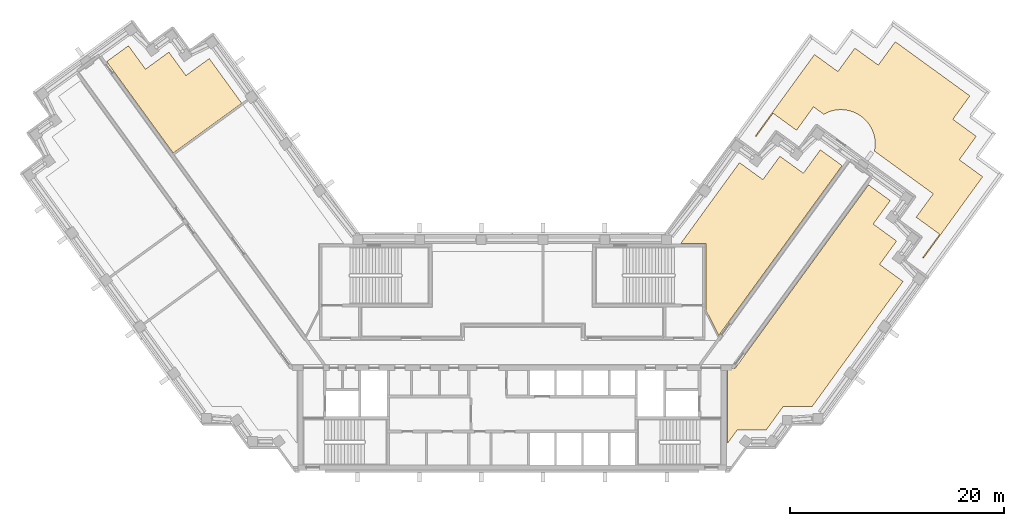
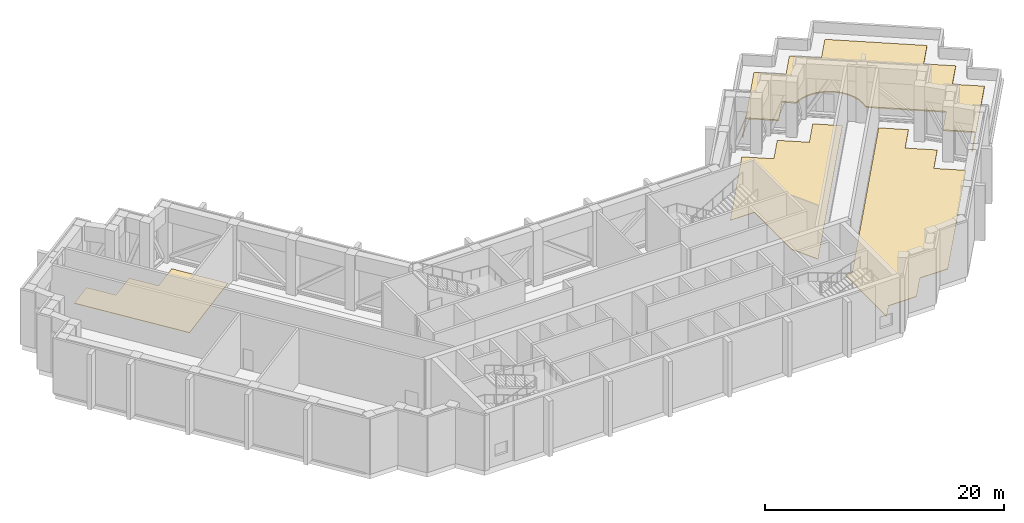
# One storey, part 16 of 16: 4 coverings.
"""IFC4 building model written with IfcOpenShell, lengths in metres."""

from ifc_helpers import new_model, si_unit, direction, frame, origin, place, context, subcontext, project, spatial, polyline, outline, extrude, material, layer, layer_set, type_object, element, save


model = new_model("IFC4")

# Units and contexts
model_context = context("Model", 3, precision=1e-05, world=origin(), true_north=direction((0.0, 1.0)))
body_context = subcontext(model_context, "Body", "Model", "MODEL_VIEW")
ifc_project = project(units=[si_unit("LENGTHUNIT", "METRE"), si_unit("AREAUNIT", "SQUARE_METRE"), si_unit("VOLUMEUNIT", "CUBIC_METRE"), si_unit("PLANEANGLEUNIT", "RADIAN"), si_unit("MASSUNIT", "GRAM", prefix="KILO")], contexts=[model_context])

# Site, building, storey
site_placement = place(None, origin())
site = spatial("IfcSite", under=ifc_project, at=site_placement, CompositionType="ELEMENT")
building_placement = place(site_placement, origin())
building = spatial("IfcBuilding", under=site, at=building_placement, Name="Quipu Civic Tower", CompositionType="ELEMENT")
storey_placement = place(building_placement, frame((0.0, 0.0, 188.0)))
storey = spatial("IfcBuildingStorey", under=building, at=storey_placement, Name="L44", CompositionType="ELEMENT", Elevation=188.0)

# Coverings
ifc_material_1 = material(Name="Roof membrane and gravel ballast")
ifc_layer_1 = layer(ifc_material_1, 0.1201171875)
ifc_layer_set_1 = layer_set([ifc_layer_1], Name="Roof membrane and gravel ballast")
covering_type_1 = type_object("IfcCoveringType", Name="Roof membrane and ballast build-up", PredefinedType="ROOFING", material=ifc_layer_set_1)
covering_1_placement = place(storey_placement, origin())
element("IfcCovering", 1, at=covering_1_placement, inside=storey, type_object=covering_type_1, Name="Roof build-up L44 1", PredefinedType="ROOFING", context=body_context, shape_type="SweptSolid", body=[
    extrude(outline(polyline([(30.38330078125, 26.20068359375), (31.970458984375, 28.385009765625), (34.15478515625, 26.798095703125), (35.74169921875, 28.982421875), (42.699462890625, 23.927490234375), (41.1123046875, 21.742919921875), (43.296630859375, 20.156005859375), (41.709716796875, 17.9716796875), (43.89404296875, 16.384521484375), (38.368896484375, 8.77978515625), (38.287841796875, 8.838623046875), (39.875, 11.02294921875), (37.690673828125, 12.610107421875), (39.277587890625, 14.79443359375), (33.794189453125, 18.7783203125), (33.8505859375, 19.13037109375), (33.865966796875, 19.444091796875), (33.8505859375, 19.7578125), (33.804443359375, 20.068359375), (33.728271484375, 20.372802734375), (33.622314453125, 20.668701171875), (33.488037109375, 20.952392578125), (33.32666015625, 21.2216796875), (33.1396484375, 21.47412109375), (32.9287109375, 21.706787109375), (32.696044921875, 21.91748046875), (32.44384765625, 22.104736328125), (32.174560546875, 22.26611328125), (31.890625, 22.400390625), (31.594970703125, 22.506103515625), (31.290283203125, 22.58251953125), (30.979736328125, 22.628662109375), (30.666015625, 22.64404296875), (30.352294921875, 22.628662109375), (30.041748046875, 22.58251953125), (29.737060546875, 22.506103515625), (29.44140625, 22.400390625), (29.067626953125, 22.21240234375), (28.11328125, 22.90576171875), (26.526123046875, 20.721435546875), (24.341796875, 22.30859375), (22.7548828125, 20.1240234375), (22.673828125, 20.182861328125), (28.19921875, 27.78759765625), (30.38330078125, 26.20068359375)])), origin(), (0.0, 0.0, 1.0), 0.1201171875),
])
ifc_material_2 = material(Name="Sealed cement screed")
ifc_layer_2 = layer(ifc_material_2, 0.050048828125)
ifc_layer_set_2 = layer_set([ifc_layer_2], Name="Sealed cement screed")
covering_type_2 = type_object("IfcCoveringType", Name="Sealed screed floor finish 50", PredefinedType="FLOORING", material=ifc_layer_set_2)
covering_2_placement = place(storey_placement, origin())
element("IfcCovering", 2, at=covering_2_placement, inside=storey, type_object=covering_type_2, Name="Sealed screed floor finish 50", PredefinedType="FLOORING", context=body_context, shape_type="SweptSolid", body=[
    extrude(outline(polyline([(20.070068359375, -8.514892578125), (20.070068359375, -1.52001953125), (20.77490234375, -1.51904296875), (33.238037109375, 15.635009765625), (35.26904296875, 14.159912109375), (33.68310546875, 11.97412109375), (35.865966796875, 10.387939453125), (34.280029296875, 8.2041015625), (36.462890625, 6.616943359375), (27.97900390625, -5.06103515625), (25.279052734375, -5.06103515625), (23.69189453125, -7.24609375), (20.991943359375, -7.24609375), (20.070068359375, -8.514892578125)])), origin(), (0.0, 0.0, 1.0), 0.050048828125),
])
covering_3_placement = place(storey_placement, origin())
element("IfcCovering", 3, at=covering_3_placement, inside=storey, type_object=covering_type_2, Name="Sealed screed floor finish 50", PredefinedType="FLOORING", context=body_context, shape_type="SweptSolid", body=[
    extrude(outline(polyline([(-37.83203125, 27.1298828125), (-35.801025390625, 28.60498046875), (-34.212890625, 26.4208984375), (-32.030029296875, 28.008056640625), (-30.44189453125, 25.823974609375), (-28.259033203125, 27.409912109375), (-25.22900390625, 23.239013671875), (-31.6279296875, 18.591064453125), (-37.83203125, 27.1298828125)])), origin(), (0.0, 0.0, 1.0), 0.050048828125),
])
covering_4_placement = place(storey_placement, origin())
element("IfcCovering", 4, at=covering_4_placement, inside=storey, type_object=covering_type_2, Name="Sealed screed floor finish 50", PredefinedType="FLOORING", context=body_context, shape_type="SweptSolid", body=[
    extrude(outline(polyline([(15.73193359375, 10.169921875), (21.205078125, 17.701904296875), (23.388916015625, 16.115966796875), (24.97607421875, 18.299072265625), (27.159912109375, 16.712890625), (28.748046875, 18.89697265625), (30.779052734375, 17.422119140625), (19.27197265625, 1.583984375), (18.070068359375, 3.94189453125), (18.070068359375, 10.1689453125), (15.73193359375, 10.169921875)])), origin(), (0.0, 0.0, 1.0), 0.050048828125),
])

save(model, "model.ifc")
